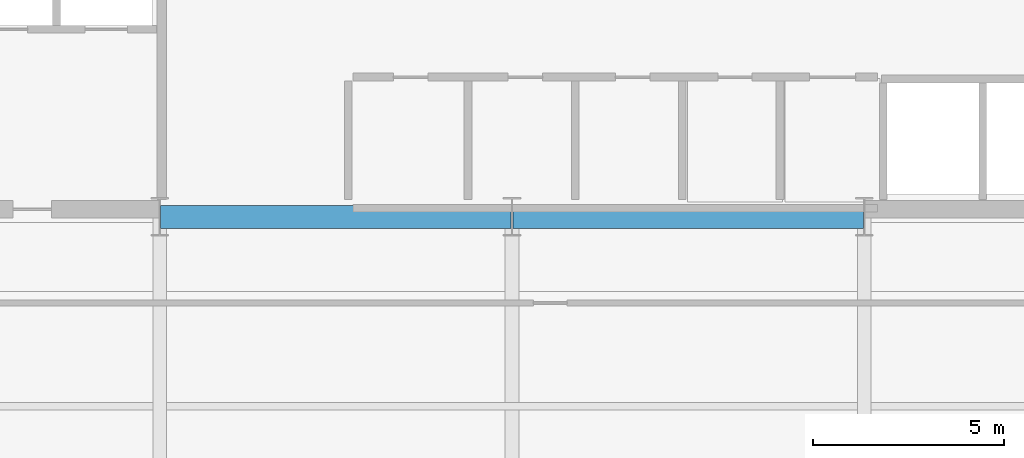
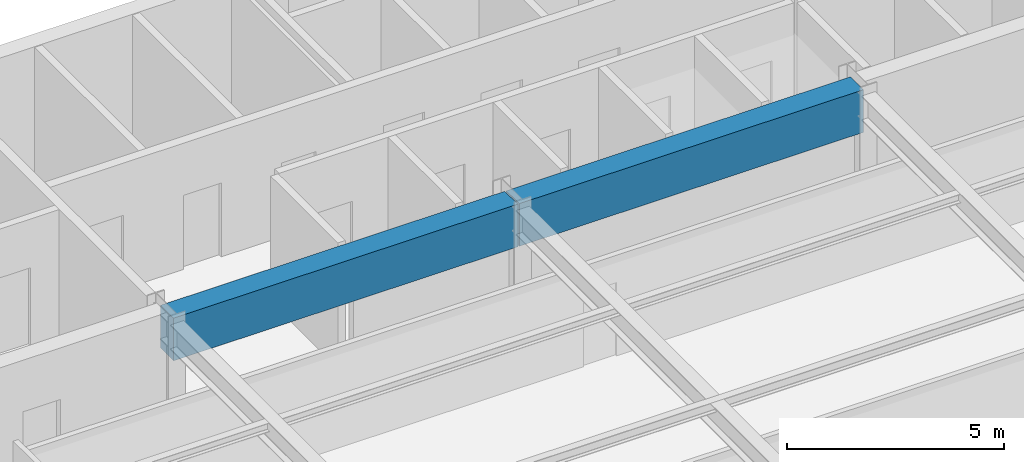
# One storey, part 23 of 36: 2 beams.
"""IFC4 building model written with IfcOpenShell, lengths in metres."""

from ifc_helpers import new_model, si_unit, direction, frame, origin, origin_2d, place, context, subcontext, project, spatial, rectangle, extrude, source, transform, mapped, material, material_profile, profile_set, type_object, type_shapes, element, save


model = new_model("IFC4")

# Units and contexts
model_context = context("Model", 3, precision=1e-05, world=origin(), true_north=direction((0.0, 1.0)))
body_context = subcontext(model_context, "Body", "Model", "MODEL_VIEW")
ifc_project = project(units=[si_unit("LENGTHUNIT", "METRE"), si_unit("AREAUNIT", "SQUARE_METRE"), si_unit("VOLUMEUNIT", "CUBIC_METRE"), si_unit("PLANEANGLEUNIT", "RADIAN"), si_unit("MASSUNIT", "GRAM", prefix="KILO")], contexts=[model_context])

# Site, building, storey
site_placement = place(None, origin())
site = spatial("IfcSite", under=ifc_project, at=site_placement, CompositionType="ELEMENT")
building_placement = place(site_placement, origin())
building = spatial("IfcBuilding", under=site, at=building_placement, Name="Varnel Quay Broadcast Tower", CompositionType="ELEMENT")
storey_placement = place(building_placement, frame((0.0, 0.0, 114.39990234375)))
storey = spatial("IfcBuildingStorey", under=building, at=storey_placement, Name="L27", CompositionType="ELEMENT", Elevation=114.39990234375)

# Beams
ifc_material = material(Name="Concrete CSA A23.3 C60/75", Category="concrete")
ifc_material_profile = material_profile(ifc_material, rectangle(XDim=0.60009765625, YDim=1.199951171875, at=origin_2d()), Name="RC600X1200")
ifc_profile_set = profile_set([ifc_material_profile], Name="Concrete CSA A23.3 C60/75")
beam_type = type_object("IfcBeamType", Name="Beam_RC600X1200", PredefinedType="BEAM", material=ifc_profile_set)
shared_shape = source(origin(), body_context, "Body", "SweptSolid", [
    extrude(rectangle(XDim=0.60009765625, YDim=1.199951171875, at=origin_2d()), origin(), (0.0, 0.0, 1.0), 9.159912109375),
])
type_shapes(beam_type, [shared_shape])
for number, where, z_axis, x_axis, name in (
    (1, (24.820068359375, 35.60009765625, 2.9501953125), (1.0, 0.0, 0.0), (0.0, 1.0, 0.0), "L27 Core Coupling Beam W"),
    (2, (34.02001953125, 35.60009765625, 2.9501953125), (1.0, 0.0, 0.0), (0.0, 1.0, 0.0), "L27 Core Coupling Beam E"),
):
    element("IfcBeam", number, at=place(storey_placement, frame(where, z_axis=z_axis, x_axis=x_axis)), inside=storey, type_object=beam_type, Name=name, PredefinedType="BEAM", context=body_context, shape_type="MappedRepresentation", body=[
        mapped(shared_shape, transform((0.0, 0.0, 0.0), x_axis=(1.0, 0.0, 0.0), y_axis=(0.0, 1.0, 0.0), z_axis=(0.0, 0.0, 1.0), scale=1.0)),
    ])

save(model, "model.ifc")
